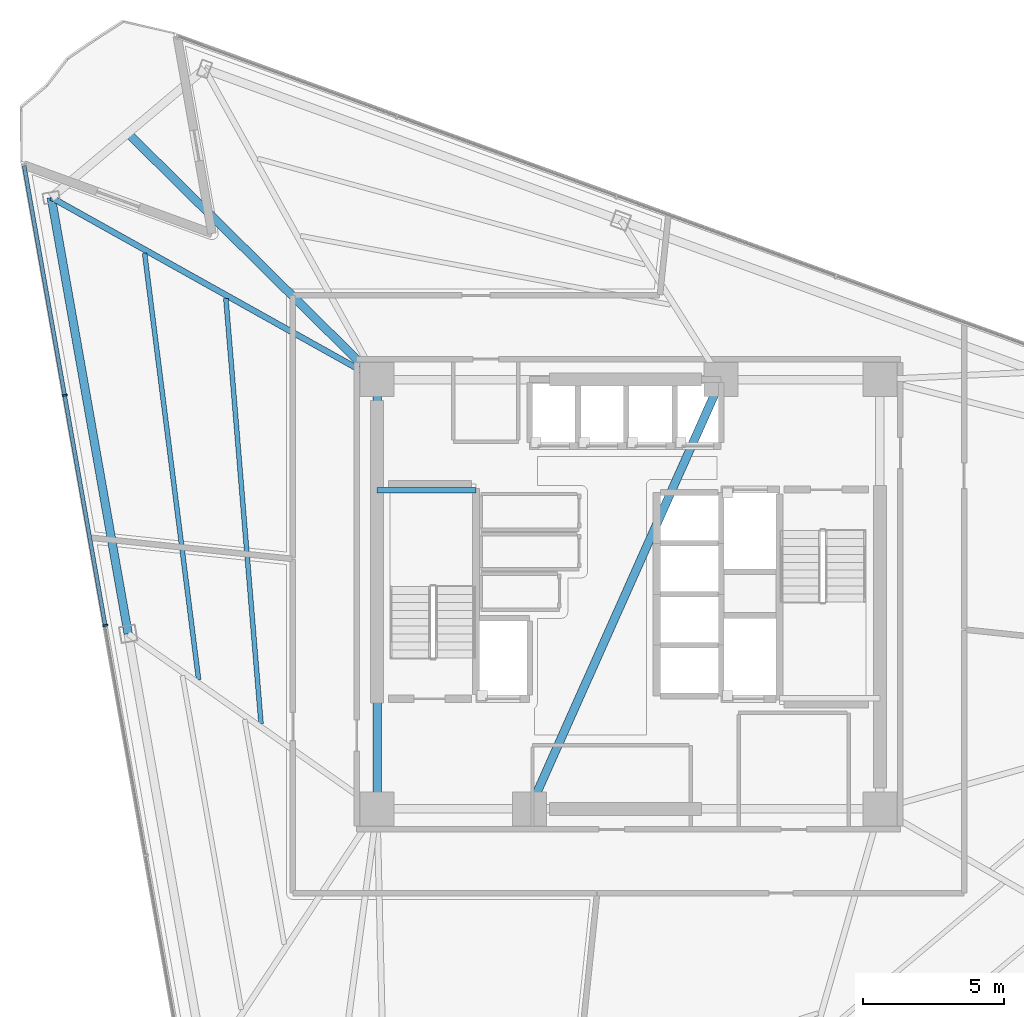
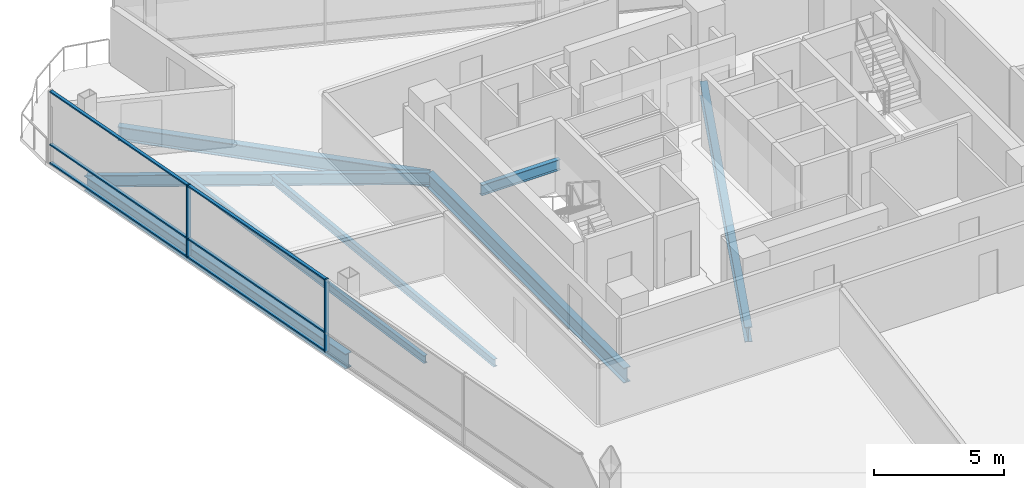
# One storey, part 5 of 17: 8 beams, 8 members, 1 element without a shape of its own.
"""IFC4 building model written with IfcOpenShell, lengths in metres."""

from ifc_helpers import new_model, si_unit, direction, frame, origin, origin_2d, place, context, subcontext, project, spatial, rectangle, i_section, extrude, material, layer, layer_set, material_profile, profile_set, type_object, element, aggregate, save


model = new_model("IFC4")

# Units and contexts
model_context = context("Model", 3, precision=1e-05, world=origin(), true_north=direction((0.0, 1.0)))
body_context = subcontext(model_context, "Body", "Model", "MODEL_VIEW")
ifc_project = project(units=[si_unit("LENGTHUNIT", "METRE"), si_unit("AREAUNIT", "SQUARE_METRE"), si_unit("VOLUMEUNIT", "CUBIC_METRE"), si_unit("PLANEANGLEUNIT", "RADIAN"), si_unit("MASSUNIT", "GRAM", prefix="KILO")], contexts=[model_context])

# Site, building, storey
site_placement = place(None, origin())
site = spatial("IfcSite", under=ifc_project, at=site_placement, CompositionType="ELEMENT")
building_placement = place(site_placement, origin())
building = spatial("IfcBuilding", under=site, at=building_placement, Name="Tharavind Bronze Gate", CompositionType="ELEMENT")
storey_placement = place(building_placement, frame((0.0, 0.0, 184.89990234375)))
storey = spatial("IfcBuildingStorey", under=building, at=storey_placement, Name="L47", CompositionType="ELEMENT", Elevation=184.89990234375)

# Curtain wall, members
ifc_material_1 = material(Name="Anodised Bronze Aluminium", Category="aluminium")
ifc_layer = layer(ifc_material_1, 0.219970703125)
ifc_layer_set = layer_set([ifc_layer], Name="Anodised Bronze Aluminium")
curtain_wall_type = type_object("IfcCurtainWallType", Name="UNITISED CURTAIN WALL MID OFFICE", PredefinedType="USERDEFINED", material=ifc_layer_set)
curtain_wall_placement = place(storey_placement, origin())
curtain_wall = element("IfcCurtainWall", 1, at=curtain_wall_placement, inside=storey, type_object=curtain_wall_type, Name="L47 unitised curtain wall mid office CW-L47-S1", ObjectType="UNITISED CURTAIN WALL", PredefinedType="USERDEFINED")
member_type_1 = type_object("IfcMemberType", Name="CURTAIN WALL BRONZE MULLION 65X180", PredefinedType="MULLION", material=ifc_material_1)
member_1_placement = place(storey_placement, frame((-19.9599609375, 7.044677734375, 0.000244140625), z_axis=(0.0, 0.0, 1.0), x_axis=(0.173648177667, -0.984807753012, 0.0)))
member_1 = element("IfcMember", 2, at=member_1_placement, type_object=member_type_1, Name="CW-L47-S1 mullion 2", PredefinedType="MULLION", context=body_context, shape_type="SweptSolid", body=[
    extrude(rectangle(XDim=0.06494140625, YDim=0.179931640625, at=origin_2d()), origin(), (0.0, 0.0, 1.0), 3.419921875),
])
member_2_placement = place(storey_placement, frame((-18.5234375, -1.10302734375, 0.000244140625), z_axis=(0.0, 0.0, 1.0), x_axis=(0.173648177667, -0.984807753012, 0.0)))
member_2 = element("IfcMember", 3, at=member_2_placement, type_object=member_type_1, Name="CW-L47-S1 mullion 3", PredefinedType="MULLION", context=body_context, shape_type="SweptSolid", body=[
    extrude(rectangle(XDim=0.06494140625, YDim=0.179931640625, at=origin_2d()), origin(), (0.0, 0.0, 1.0), 3.419921875),
])
member_type_2 = type_object("IfcMemberType", Name="CURTAIN WALL BRONZE TRANSOM 65X140", PredefinedType="USERDEFINED", material=ifc_material_1)
member_3_placement = place(storey_placement, frame((-20.678466796875, 11.118408203125, 0.000244140625), z_axis=(0.0, 0.0, 1.0), x_axis=(0.173648177667, -0.984807753012, 0.0)))
member_3 = element("IfcMember", 4, at=member_3_placement, type_object=member_type_2, Name="CW-L47-S1 transom TB1", ObjectType="TRANSOM", PredefinedType="USERDEFINED", context=body_context, shape_type="SweptSolid", body=[
    extrude(rectangle(XDim=8.220458984375, YDim=0.139892578125, at=origin_2d()), origin(), (0.0, 0.0, 1.0), 0.06494140625),
])
member_4_placement = place(storey_placement, frame((-20.678466796875, 11.118408203125, 0.86767578125), z_axis=(0.0, 0.0, 1.0), x_axis=(0.173648177667, -0.984807753012, 0.0)))
member_4 = element("IfcMember", 5, at=member_4_placement, type_object=member_type_2, Name="CW-L47-S1 transom TS1", ObjectType="TRANSOM", PredefinedType="USERDEFINED", context=body_context, shape_type="SweptSolid", body=[
    extrude(rectangle(XDim=8.220458984375, YDim=0.139892578125, at=origin_2d()), origin(), (0.0, 0.0, 1.0), 0.06494140625),
])
member_5_placement = place(storey_placement, frame((-20.678466796875, 11.118408203125, 3.355224609375), z_axis=(0.0, 0.0, 1.0), x_axis=(0.173648177667, -0.984807753012, 0.0)))
member_5 = element("IfcMember", 6, at=member_5_placement, type_object=member_type_2, Name="CW-L47-S1 transom TT1", ObjectType="TRANSOM", PredefinedType="USERDEFINED", context=body_context, shape_type="SweptSolid", body=[
    extrude(rectangle(XDim=8.220458984375, YDim=0.139892578125, at=origin_2d()), origin(), (0.0, 0.0, 1.0), 0.06494140625),
])
member_6_placement = place(storey_placement, frame((-19.24169921875, 2.970703125, 0.000244140625), z_axis=(0.0, 0.0, 1.0), x_axis=(0.173648177667, -0.984807753012, 0.0)))
member_6 = element("IfcMember", 7, at=member_6_placement, type_object=member_type_2, Name="CW-L47-S1 transom TB2", ObjectType="TRANSOM", PredefinedType="USERDEFINED", context=body_context, shape_type="SweptSolid", body=[
    extrude(rectangle(XDim=8.220458984375, YDim=0.139892578125, at=origin_2d()), origin(), (0.0, 0.0, 1.0), 0.06494140625),
])
member_7_placement = place(storey_placement, frame((-19.24169921875, 2.970703125, 0.86767578125), z_axis=(0.0, 0.0, 1.0), x_axis=(0.173648177667, -0.984807753012, 0.0)))
member_7 = element("IfcMember", 8, at=member_7_placement, type_object=member_type_2, Name="CW-L47-S1 transom TS2", ObjectType="TRANSOM", PredefinedType="USERDEFINED", context=body_context, shape_type="SweptSolid", body=[
    extrude(rectangle(XDim=8.220458984375, YDim=0.139892578125, at=origin_2d()), origin(), (0.0, 0.0, 1.0), 0.06494140625),
])
member_8_placement = place(storey_placement, frame((-19.24169921875, 2.970703125, 3.355224609375), z_axis=(0.0, 0.0, 1.0), x_axis=(0.173648177667, -0.984807753012, 0.0)))
member_8 = element("IfcMember", 9, at=member_8_placement, type_object=member_type_2, Name="CW-L47-S1 transom TT2", ObjectType="TRANSOM", PredefinedType="USERDEFINED", context=body_context, shape_type="SweptSolid", body=[
    extrude(rectangle(XDim=8.220458984375, YDim=0.139892578125, at=origin_2d()), origin(), (0.0, 0.0, 1.0), 0.06494140625),
])
aggregate(curtain_wall, [member_1, member_2, member_3, member_4, member_5, member_6, member_7, member_8])

# Beams
ifc_material_2 = material(Name="Steel S355", Category="steel")
ifc_material_profile_1 = material_profile(ifc_material_2, i_section(OverallWidth=0.300048828125, OverallDepth=0.64990234375, WebThickness=0.01611328125, FlangeThickness=0.031005859375, at=origin_2d()), Name="HE650B")
ifc_profile_set_1 = profile_set([ifc_material_profile_1], Name="Steel S355")
beam_type_1 = type_object("IfcBeamType", Name="PRIMARY GIRDER HE650B", PredefinedType="USERDEFINED", material=ifc_profile_set_1)
beam_1_placement = place(storey_placement, frame((-8.89990234375, 7.60009765625, -0.5048828125), z_axis=(-0.711218760843, 0.702970749196, 0.0), x_axis=(-0.702970749196, -0.711218760843, 0.0)))
element("IfcBeam", 10, at=beam_1_placement, inside=storey, type_object=beam_type_1, Name="L47 primary girder he650b BM-L47-BLCSB", ObjectType="GIRDER", PredefinedType="USERDEFINED", context=body_context, shape_type="SweptSolid", body=[
    extrude(i_section(OverallWidth=0.300048828125, OverallDepth=0.64990234375, WebThickness=0.01611328125, FlangeThickness=0.031005859375, at=origin_2d()), origin(), (0.0, 0.0, 1.0), 12.40234375),
])
ifc_material_profile_2 = material_profile(ifc_material_2, i_section(OverallWidth=0.199951171875, OverallDepth=0.5, WebThickness=0.01025390625, FlangeThickness=0.01611328125, at=origin_2d()), Name="IPE500")
ifc_profile_set_2 = profile_set([ifc_material_profile_2], Name="Steel S355")
beam_type_2 = type_object("IfcBeamType", Name="PRIMARY GIRDER IPE500", PredefinedType="USERDEFINED", material=ifc_profile_set_2)
beam_2_placement = place(storey_placement, frame((-8.89990234375, 3.679931640625, 1.35009765625), z_axis=(1.0, 0.0, 0.0), x_axis=(0.0, 1.0, 0.0)))
element("IfcBeam", 11, at=beam_2_placement, inside=storey, type_object=beam_type_2, Name="L47 primary girder ipe500 BM-LD-ST1-L47-1", ObjectType="GIRDER", PredefinedType="USERDEFINED", context=body_context, shape_type="SweptSolid", body=[
    extrude(i_section(OverallWidth=0.199951171875, OverallDepth=0.5, WebThickness=0.01025390625, FlangeThickness=0.01611328125, at=origin_2d()), origin(), (0.0, 0.0, 1.0), 3.5),
])
ifc_material_profile_3 = material_profile(ifc_material_2, i_section(OverallWidth=0.2099609375, OverallDepth=0.550048828125, WebThickness=0.010986328125, FlangeThickness=0.01708984375, at=origin_2d()), Name="IPE550")
ifc_profile_set_3 = profile_set([ifc_material_profile_3], Name="Steel S355")
beam_type_3 = type_object("IfcBeamType", Name="PRIMARY GIRDER IPE550", PredefinedType="USERDEFINED", material=ifc_profile_set_3)
beam_3_placement = place(storey_placement, frame((-20.4326171875, 14.043212890625, -0.454833984375), z_axis=(0.872996251482, -0.487726916315, 0.0), x_axis=(0.487726916315, 0.872996251482, 0.0)))
element("IfcBeam", 12, at=beam_3_placement, inside=storey, type_object=beam_type_3, Name="L47 primary girder ipe550 BM-L47-RAD01", ObjectType="GIRDER", PredefinedType="USERDEFINED", context=body_context, shape_type="SweptSolid", body=[
    extrude(i_section(OverallWidth=0.2099609375, OverallDepth=0.550048828125, WebThickness=0.010986328125, FlangeThickness=0.01708984375, at=origin_2d()), origin(), (0.0, 0.0, 1.0), 13.21044921875),
])
ifc_material_profile_4 = material_profile(ifc_material_2, i_section(OverallWidth=0.300048828125, OverallDepth=0.699951171875, WebThickness=0.01708984375, FlangeThickness=0.031982421875, at=origin_2d()), Name="HE700B")
ifc_profile_set_4 = profile_set([ifc_material_profile_4], Name="Steel S355")
beam_type_4 = type_object("IfcBeamType", Name="RING GIRDER HE700B", PredefinedType="USERDEFINED", material=ifc_profile_set_4)
beam_4_placement = place(storey_placement, frame((-8.89990234375, 7.60009765625, -0.52978515625), z_axis=(0.0, -1.0, 0.0), x_axis=(1.0, 0.0, 0.0)))
element("IfcBeam", 13, at=beam_4_placement, inside=storey, type_object=beam_type_4, Name="L47 ring girder he700b BM-L47-CR6", ObjectType="GIRDER", PredefinedType="USERDEFINED", context=body_context, shape_type="SweptSolid", body=[
    extrude(i_section(OverallWidth=0.300048828125, OverallDepth=0.699951171875, WebThickness=0.01708984375, FlangeThickness=0.031982421875, at=origin_2d()), origin(), (0.0, 0.0, 1.0), 15.2001953125),
])
beam_5_placement = place(storey_placement, frame((-3.5, -7.60009765625, -0.52978515625), z_axis=(0.407361644566, 0.913266932795, 0.0), x_axis=(-0.913266932795, 0.407361644566, 0.0)))
element("IfcBeam", 14, at=beam_5_placement, inside=storey, type_object=beam_type_4, Name="L47 ring girder he700b BM-L47-CR7", ObjectType="GIRDER", PredefinedType="USERDEFINED", context=body_context, shape_type="SweptSolid", body=[
    extrude(i_section(OverallWidth=0.300048828125, OverallDepth=0.699951171875, WebThickness=0.01708984375, FlangeThickness=0.031982421875, at=origin_2d()), origin(), (0.0, 0.0, 1.0), 16.643798828125),
])
beam_6_placement = place(storey_placement, frame((-20.4326171875, 14.043212890625, -0.52978515625), z_axis=(0.173644998979, -0.984808313495, 0.0), x_axis=(0.984808313495, 0.173644998979, 0.0)))
element("IfcBeam", 15, at=beam_6_placement, inside=storey, type_object=beam_type_4, Name="L47 ring girder he700b BM-L47-PRG01", ObjectType="GIRDER", PredefinedType="USERDEFINED", context=body_context, shape_type="SweptSolid", body=[
    extrude(i_section(OverallWidth=0.300048828125, OverallDepth=0.699951171875, WebThickness=0.01708984375, FlangeThickness=0.031982421875, at=origin_2d()), origin(), (0.0, 0.0, 1.0), 15.680908203125),
])
ifc_material_profile_5 = material_profile(ifc_material_2, i_section(OverallWidth=0.169921875, OverallDepth=0.360107421875, WebThickness=0.008056640625, FlangeThickness=0.0126953125, at=origin_2d()), Name="IPE360")
ifc_profile_set_5 = profile_set([ifc_material_profile_5], Name="Steel S355")
beam_type_5 = type_object("IfcBeamType", Name="SECONDARY FLOOR JOIST IPE360", PredefinedType="JOIST", material=ifc_profile_set_5)
beam_7_placement = place(storey_placement, frame((-14.251953125, 10.466064453125, -0.35986328125), z_axis=(0.082410961919, -0.996598431343, 0.0), x_axis=(0.996598431343, 0.082410961919, 0.0)))
element("IfcBeam", 16, at=beam_7_placement, inside=storey, type_object=beam_type_5, Name="L47 secondary floor joist ipe360 BM-L47-JSTA01", PredefinedType="JOIST", context=body_context, shape_type="SweptSolid", body=[
    extrude(i_section(OverallWidth=0.169921875, OverallDepth=0.360107421875, WebThickness=0.008056640625, FlangeThickness=0.0126953125, at=origin_2d()), origin(), (0.0, 0.0, 1.0), 15.09375),
])
beam_8_placement = place(storey_placement, frame((-17.12890625, 12.073486328125, -0.35986328125), z_axis=(0.125636159432, -0.992076385891, 0.0), x_axis=(0.992076385891, 0.125636159432, 0.0)))
element("IfcBeam", 17, at=beam_8_placement, inside=storey, type_object=beam_type_5, Name="L47 secondary floor joist ipe360 BM-L47-JSTB01", PredefinedType="JOIST", context=body_context, shape_type="SweptSolid", body=[
    extrude(i_section(OverallWidth=0.169921875, OverallDepth=0.360107421875, WebThickness=0.008056640625, FlangeThickness=0.0126953125, at=origin_2d()), origin(), (0.0, 0.0, 1.0), 15.215576171875),
])

save(model, "model.ifc")
